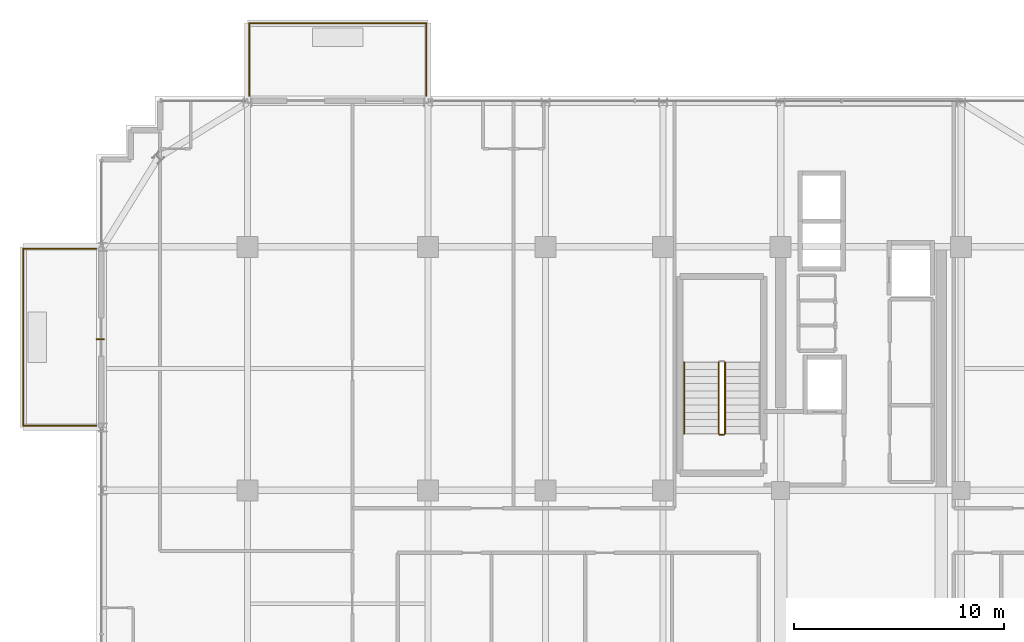
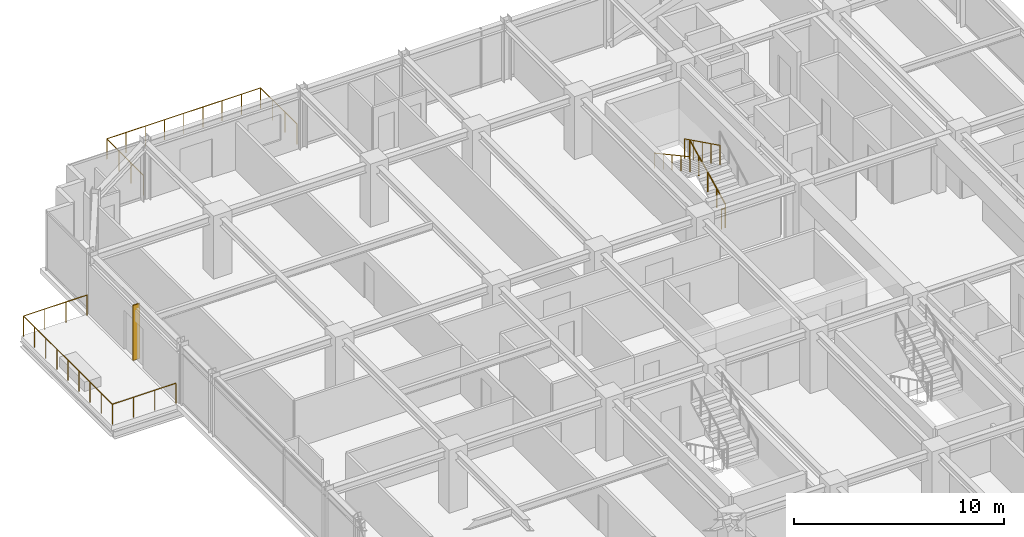
# One storey, part 34 of 36: 6 railings, 1 shading device.
"""IFC4 building model written with IfcOpenShell, lengths in metres."""

import ifcopenshell
import ifcopenshell.guid

model = None  # the IFC model being written
_history = None  # IfcOwnerHistory: only IFC2X3 demands one
_inside = {}  # id of a spatial element -> (the spatial element, [elements in it])
_under = {}  # id of a project, library or spatial element -> (it, [spatial elements below it])
_declared = {}  # id of a project -> (the project, [libraries it declares])
_typed = {}  # id of a type object -> (the type object, [elements of that type])
_made_of = {}  # id of a material, layer set ... -> (it, [elements and type objects made of it])


def new_model(schema):
    """Start an empty IFC model of exactly this schema.

    Asked for "IFC4X3", IfcOpenShell would pick the latest addendum, in which some entities
    have other attributes; the version numbers below select the first issue.
    IFC2X3 requires an IfcOwnerHistory on every rooted entity: one is made here for all.
    """
    global model, _history
    if schema == "IFC4X3":
        model = ifcopenshell.file(schema_version=(4, 3, 0, 0))
    else:
        model = ifcopenshell.file(schema=schema)
    _inside.clear()
    _under.clear()
    _declared.clear()
    _typed.clear()
    _made_of.clear()
    _history = None
    if model.schema == "IFC2X3":
        org = make("IfcOrganization", Name="unknown")
        user = make(
            "IfcPersonAndOrganization",
            ThePerson=make("IfcPerson", FamilyName="unknown"),
            TheOrganization=org,
        )
        app = make(
            "IfcApplication",
            ApplicationDeveloper=org,
            Version="unknown",
            ApplicationFullName="unknown",
            ApplicationIdentifier="unknown",
        )
        _history = make(
            "IfcOwnerHistory",
            OwningUser=user,
            OwningApplication=app,
            ChangeAction="ADDED",
            CreationDate=0,
        )
    return model


def make(cls, **values):
    """One entity of the class cls with the attributes given. An attribute that is None is left unset."""
    return model.create_entity(
        cls, **{name: value for name, value in values.items() if value is not None}
    )


def rooted(cls, **values):
    """An entity with a GlobalId (a new one), such as an element, a storey or a relation."""
    return make(cls, GlobalId=ifcopenshell.guid.new(), OwnerHistory=_history, **values)


def si_unit(unit_type, name, prefix=None):
    """IfcSIUnit, for example si_unit("LENGTHUNIT", "METRE", prefix="MILLI")."""
    return make("IfcSIUnit", UnitType=unit_type, Prefix=prefix, Name=name)


def assignment(units):
    """IfcUnitAssignment: the units of a project."""
    return None if units is None else make("IfcUnitAssignment", Units=units)


def point(xyz):
    """IfcCartesianPoint."""
    return None if xyz is None else make("IfcCartesianPoint", Coordinates=xyz)


def direction(xyz):
    """IfcDirection."""
    return None if xyz is None else make("IfcDirection", DirectionRatios=xyz)


def frame(location, z_axis=None, x_axis=None):
    """IfcAxis2Placement3D, a coordinate frame: its origin and axes. An axis left out is left unset."""
    return make(
        "IfcAxis2Placement3D",
        Location=point(location),
        Axis=direction(z_axis),
        RefDirection=direction(x_axis),
    )


def frame_2d(location, x_axis=None):
    """IfcAxis2Placement2D, a coordinate frame in the plane: its origin and x axis."""
    return make(
        "IfcAxis2Placement2D", Location=point(location), RefDirection=direction(x_axis)
    )


def origin():
    """The frame at (0, 0, 0) with its axes left unset."""
    return frame((0.0, 0.0, 0.0))


def origin_2d():
    """The frame at (0, 0) in the plane with its x axis left unset."""
    return frame_2d((0.0, 0.0))


def place(relative_to, where):
    """IfcLocalPlacement: puts the frame where relative to a parent placement (None: the world)."""
    return make(
        "IfcLocalPlacement", PlacementRelTo=relative_to, RelativePlacement=where
    )


def context(
    kind, dimensions, precision=None, world=None, true_north=None, identifier=None
):
    """IfcGeometricRepresentationContext, for example the 3D "Model" context."""
    return make(
        "IfcGeometricRepresentationContext",
        ContextIdentifier=identifier,
        ContextType=kind,
        CoordinateSpaceDimension=dimensions,
        Precision=precision,
        WorldCoordinateSystem=world,
        TrueNorth=true_north,
    )


def subcontext(parent, identifier, kind, view, scale=None):
    """IfcGeometricRepresentationSubContext, for example "Body" below "Model"."""
    return make(
        "IfcGeometricRepresentationSubContext",
        ContextIdentifier=identifier,
        ContextType=kind,
        ParentContext=parent,
        TargetScale=scale,
        TargetView=view,
    )


def project(units=None, contexts=None):
    """IfcProject with its units and contexts."""
    return rooted(
        "IfcProject",
        Name="project",
        RepresentationContexts=contexts,
        UnitsInContext=assignment(units),
    )


def spatial(cls, under=None, at=None, **own):
    """A site, building, storey or space (cls), placed at a placement, below another one or the project."""
    s = rooted(cls, ObjectPlacement=at, **own)
    if under is not None:
        _under.setdefault(under.id(), (under, []))[1].append(s)
    return s


def profile(cls, at=None, kind="AREA", **sizes):
    """A parametric profile (cls). Its sizes go by their IFC names, for example OverallWidth=200.0."""
    return make(cls, ProfileType=kind, Position=at, **sizes)


def rectangle(**sizes):
    """IfcRectangleProfileDef."""
    return profile("IfcRectangleProfileDef", **sizes)


def circle(**sizes):
    """IfcCircleProfileDef."""
    return profile("IfcCircleProfileDef", **sizes)


def extrude(swept, where, along, depth):
    """IfcExtrudedAreaSolid: the profile swept, set in the frame where, extruded along a direction by depth."""
    return make(
        "IfcExtrudedAreaSolid",
        SweptArea=swept,
        Position=where,
        ExtrudedDirection=direction(along),
        Depth=depth,
    )


def shape(context_of_items, identifier, shape_type, items):
    """IfcShapeRepresentation: the items that make up one representation, for example the "Body"."""
    return make(
        "IfcShapeRepresentation",
        ContextOfItems=context_of_items,
        RepresentationIdentifier=identifier,
        RepresentationType=shape_type,
        Items=items,
    )


def source(mapping_origin, context_of_items, identifier, shape_type, items):
    """IfcRepresentationMap: a shape defined once, which mapped items show again and again."""
    return make(
        "IfcRepresentationMap",
        MappingOrigin=mapping_origin,
        MappedRepresentation=shape(context_of_items, identifier, shape_type, items),
    )


def transform(
    local_origin,
    x_axis=None,
    y_axis=None,
    z_axis=None,
    scale=None,
    scale2=None,
    scale3=None,
    uniform=True,
):
    """IfcCartesianTransformationOperator3D, or its non-uniform kind. x_axis, y_axis, z_axis: its Axis1, 2, 3."""
    if uniform:
        return make(
            "IfcCartesianTransformationOperator3D",
            Axis1=direction(x_axis),
            Axis2=direction(y_axis),
            LocalOrigin=point(local_origin),
            Scale=scale,
            Axis3=direction(z_axis),
        )
    return make(
        "IfcCartesianTransformationOperator3DnonUniform",
        Axis1=direction(x_axis),
        Axis2=direction(y_axis),
        LocalOrigin=point(local_origin),
        Scale=scale,
        Axis3=direction(z_axis),
        Scale2=scale2,
        Scale3=scale3,
    )


def mapped(mapping_source, mapping_target):
    """IfcMappedItem: shows the shape of a source again, moved by a transform."""
    return make(
        "IfcMappedItem", MappingSource=mapping_source, MappingTarget=mapping_target
    )


def material(Name=None, Category=None):
    """IfcMaterial."""
    return make("IfcMaterial", Name=Name, Category=Category)


def layer(
    of_material, thickness, ventilated=None, Name=None, Category=None, Priority=None
):
    """IfcMaterialLayer: one layer of a wall or slab, of a material (None: an air gap)."""
    return make(
        "IfcMaterialLayer",
        Material=of_material,
        LayerThickness=thickness,
        IsVentilated=ventilated,
        Name=Name,
        Category=Category,
        Priority=Priority,
    )


def layer_set(layers, Name=None):
    """IfcMaterialLayerSet."""
    return make("IfcMaterialLayerSet", MaterialLayers=layers, LayerSetName=Name)


def made_of(thing, what):
    """Note that an element or type object is made of a material, layer set ...; save() writes the relation."""
    if what is not None:
        _made_of.setdefault(what.id(), (what, []))[1].append(thing)
    return thing


def type_object(cls, material=None, **own):
    """A type object (cls), such as IfcWallType, which elements share."""
    return made_of(rooted(cls, **own), material)


def element(
    cls,
    number,
    at=None,
    inside=None,
    cuts=None,
    type_object=None,
    material=None,
    context=None,
    identifier="Body",
    shape_type=None,
    held_by="IfcProductDefinitionShape",
    body=None,
    shapes=None,
    **own,
):
    """One element of the class cls, such as IfcWall. Its Tag is "e" and its number.

    at: its placement. inside: the storey or other place that contains it. cuts: it is an
    opening in that element (IfcRelVoidsElement). A single representation is given by context,
    identifier, shape_type and body (its items); several are given by shapes. held_by: the class
    of the entity that holds the representations. save() writes the other relations.
    """
    e = rooted(cls, Tag="e%d" % number, ObjectPlacement=at, **own)
    if body is not None:
        shapes = [shape(context, identifier, shape_type, body)]
    if shapes is not None:
        e.Representation = make(held_by, Representations=shapes)
    if inside is not None:
        _inside.setdefault(inside.id(), (inside, []))[1].append(e)
    if cuts is not None:
        rooted(
            "IfcRelVoidsElement", RelatingBuildingElement=cuts, RelatedOpeningElement=e
        )
    if type_object is not None:
        _typed.setdefault(type_object.id(), (type_object, []))[1].append(e)
    return made_of(e, material)


def aggregate(whole, parts):
    """IfcRelAggregates: a whole, such as a stair, and the parts it consists of."""
    return rooted("IfcRelAggregates", RelatingObject=whole, RelatedObjects=parts)


def save(model, path):
    """Write the relations noted so far, then the file.

    IfcRelAggregates (storeys below a building ...), IfcRelContainedInSpatialStructure (elements
    in a storey), IfcRelDefinesByType, IfcRelAssociatesMaterial and IfcRelDeclares: one each for
    every whole, place, type object, material and project.
    """
    for whole, parts in _under.values():
        aggregate(whole, parts)
    for where, things in _inside.values():
        rooted(
            "IfcRelContainedInSpatialStructure",
            RelatedElements=things,
            RelatingStructure=where,
        )
    for kind, things in _typed.values():
        rooted("IfcRelDefinesByType", RelatedObjects=things, RelatingType=kind)
    for what, things in _made_of.values():
        rooted("IfcRelAssociatesMaterial", RelatedObjects=things, RelatingMaterial=what)
    for by, libraries in _declared.values():
        rooted("IfcRelDeclares", RelatingContext=by, RelatedDefinitions=libraries)
    model.write(path)


model = new_model("IFC4")

# Units and contexts
model_context = context("Model", 3, precision=1e-05, world=origin(), true_north=direction((0.0, 1.0)))
body_context = subcontext(model_context, "Body", "Model", "MODEL_VIEW")
ifc_project = project(units=[si_unit("LENGTHUNIT", "METRE"), si_unit("AREAUNIT", "SQUARE_METRE"), si_unit("VOLUMEUNIT", "CUBIC_METRE"), si_unit("PLANEANGLEUNIT", "RADIAN"), si_unit("MASSUNIT", "GRAM", prefix="KILO")], contexts=[model_context])

# Site, building, storey
site_placement = place(None, origin())
site = spatial("IfcSite", under=ifc_project, at=site_placement, CompositionType="ELEMENT")
building_placement = place(site_placement, origin())
building = spatial("IfcBuilding", under=site, at=building_placement, Name="Nahalor Promenade Grand Hotel", CompositionType="ELEMENT")
storey_placement = place(building_placement, frame((0.0, 0.0, 212.300048828125)))
storey = spatial("IfcBuildingStorey", under=building, at=storey_placement, Name="L54", CompositionType="ELEMENT", Elevation=212.300048828125)

# Railings
ifc_material_1 = material(Name="Anodised Bronze Aluminium EN AW-6063 T6", Category="aluminium")
railing_type_1 = type_object("IfcRailingType", Name="Bronze Balcony Guardrail 1200 mm", PredefinedType="GUARDRAIL", material=ifc_material_1)
railing_1_placement = place(storey_placement, frame((-16.919921875, 24.199951171875, 0.0)))
element("IfcRailing", 1, at=railing_1_placement, inside=storey, type_object=railing_type_1, Name="L54 Balcony Guardrail 1", PredefinedType="GUARDRAIL", context=body_context, shape_type="SweptSolid", body=[
    extrude(circle(Radius=0.024048, at=origin_2d()), frame((0.0, 0.0, 1.17578125), z_axis=(0.0, 1.0, 0.0), x_axis=(-1.0, 0.0, 0.0)), (0.0, 0.0, 1.0), 3.4580078125),
    extrude(circle(Radius=0.024048, at=origin_2d()), frame((0.001953125, 3.4599609375, 1.17578125), z_axis=(1.0, 0.0, 0.0), x_axis=(0.0, 1.0, 0.0)), (0.0, 0.0, 1.0), 8.43603515625),
    extrude(circle(Radius=0.024048, at=origin_2d()), frame((8.43994140625, 3.4580078125, 1.17578125), z_axis=(0.0, -1.0, 0.0), x_axis=(1.0, 0.0, 0.0)), (0.0, 0.0, 1.0), 3.4580078125),
    extrude(circle(Radius=0.020996, at=origin_2d()), origin(), (0.0, 0.0, 1.0), 1.14990234375),
    extrude(circle(Radius=0.020996, at=origin_2d()), frame((0.0, 1.1533203125, 0.0)), (0.0, 0.0, 1.0), 1.14990234375),
    extrude(circle(Radius=0.020996, at=origin_2d()), frame((0.0, 2.306640625, 0.0)), (0.0, 0.0, 1.0), 1.14990234375),
    extrude(circle(Radius=0.020996, at=origin_2d()), frame((0.0, 3.4599609375, 0.0)), (0.0, 0.0, 1.0), 1.14990234375),
    extrude(circle(Radius=0.020996, at=origin_2d()), frame((1.054931640625, 3.4599609375, 0.0)), (0.0, 0.0, 1.0), 1.14990234375),
    extrude(circle(Radius=0.020996, at=origin_2d()), frame((2.10986328125, 3.4599609375, 0.0)), (0.0, 0.0, 1.0), 1.14990234375),
    extrude(circle(Radius=0.020996, at=origin_2d()), frame((3.1650390625, 3.4599609375, 0.0)), (0.0, 0.0, 1.0), 1.14990234375),
    extrude(circle(Radius=0.020996, at=origin_2d()), frame((4.219970703125, 3.4599609375, 0.0)), (0.0, 0.0, 1.0), 1.14990234375),
    extrude(circle(Radius=0.020996, at=origin_2d()), frame((5.27490234375, 3.4599609375, 0.0)), (0.0, 0.0, 1.0), 1.14990234375),
    extrude(circle(Radius=0.020996, at=origin_2d()), frame((6.330078125, 3.4599609375, 0.0)), (0.0, 0.0, 1.0), 1.14990234375),
    extrude(circle(Radius=0.020996, at=origin_2d()), frame((7.385009765625, 3.4599609375, 0.0)), (0.0, 0.0, 1.0), 1.14990234375),
    extrude(circle(Radius=0.020996, at=origin_2d()), frame((8.43994140625, 3.4599609375, 0.0)), (0.0, 0.0, 1.0), 1.14990234375),
    extrude(circle(Radius=0.020996, at=origin_2d()), frame((8.43994140625, 2.306640625, 0.0)), (0.0, 0.0, 1.0), 1.14990234375),
    extrude(circle(Radius=0.020996, at=origin_2d()), frame((8.43994140625, 1.1533203125, 0.0)), (0.0, 0.0, 1.0), 1.14990234375),
    extrude(circle(Radius=0.020996, at=origin_2d()), frame((8.43994140625, 0.0, 0.0)), (0.0, 0.0, 1.0), 1.14990234375),
])
railing_2_placement = place(storey_placement, frame((-24.199951171875, 8.47998046875, 0.0)))
element("IfcRailing", 2, at=railing_2_placement, inside=storey, type_object=railing_type_1, Name="L54 Balcony Guardrail 2", PredefinedType="GUARDRAIL", context=body_context, shape_type="SweptSolid", body=[
    extrude(circle(Radius=0.024048, at=origin_2d()), frame((0.0, 0.0, 1.17578125), z_axis=(-1.0, 0.0, 0.0), x_axis=(0.0, -1.0, 0.0)), (0.0, 0.0, 1.0), 3.488037109375),
    extrude(circle(Radius=0.024048, at=origin_2d()), frame((-3.489990234375, 0.001953125, 1.17578125), z_axis=(0.0, 1.0, 0.0), x_axis=(-1.0, 0.0, 0.0)), (0.0, 0.0, 1.0), 8.43603515625),
    extrude(circle(Radius=0.024048, at=origin_2d()), frame((-3.488037109375, 8.43994140625, 1.17578125), z_axis=(1.0, 0.0, 0.0), x_axis=(0.0, 1.0, 0.0)), (0.0, 0.0, 1.0), 3.488037109375),
    extrude(circle(Radius=0.020996, at=origin_2d()), origin(), (0.0, 0.0, 1.0), 1.14990234375),
    extrude(circle(Radius=0.020996, at=origin_2d()), frame((-1.163330078125, 0.0, 0.0)), (0.0, 0.0, 1.0), 1.14990234375),
    extrude(circle(Radius=0.020996, at=origin_2d()), frame((-2.32666015625, 0.0, 0.0)), (0.0, 0.0, 1.0), 1.14990234375),
    extrude(circle(Radius=0.020996, at=origin_2d()), frame((-3.489990234375, 0.0, 0.0)), (0.0, 0.0, 1.0), 1.14990234375),
    extrude(circle(Radius=0.020996, at=origin_2d()), frame((-3.489990234375, 1.054931640625, 0.0)), (0.0, 0.0, 1.0), 1.14990234375),
    extrude(circle(Radius=0.020996, at=origin_2d()), frame((-3.489990234375, 2.10986328125, 0.0)), (0.0, 0.0, 1.0), 1.14990234375),
    extrude(circle(Radius=0.020996, at=origin_2d()), frame((-3.489990234375, 3.1650390625, 0.0)), (0.0, 0.0, 1.0), 1.14990234375),
    extrude(circle(Radius=0.020996, at=origin_2d()), frame((-3.489990234375, 4.219970703125, 0.0)), (0.0, 0.0, 1.0), 1.14990234375),
    extrude(circle(Radius=0.020996, at=origin_2d()), frame((-3.489990234375, 5.27490234375, 0.0)), (0.0, 0.0, 1.0), 1.14990234375),
    extrude(circle(Radius=0.020996, at=origin_2d()), frame((-3.489990234375, 6.330078125, 0.0)), (0.0, 0.0, 1.0), 1.14990234375),
    extrude(circle(Radius=0.020996, at=origin_2d()), frame((-3.489990234375, 7.385009765625, 0.0)), (0.0, 0.0, 1.0), 1.14990234375),
    extrude(circle(Radius=0.020996, at=origin_2d()), frame((-3.489990234375, 8.43994140625, 0.0)), (0.0, 0.0, 1.0), 1.14990234375),
    extrude(circle(Radius=0.020996, at=origin_2d()), frame((-2.32666015625, 8.43994140625, 0.0)), (0.0, 0.0, 1.0), 1.14990234375),
    extrude(circle(Radius=0.020996, at=origin_2d()), frame((-1.163330078125, 8.43994140625, 0.0)), (0.0, 0.0, 1.0), 1.14990234375),
    extrude(circle(Radius=0.020996, at=origin_2d()), frame((0.0, 8.43994140625, 0.0)), (0.0, 0.0, 1.0), 1.14990234375),
])
ifc_material_2 = material(Name="Steel S355JR", Category="steel")
railing_type_2 = type_object("IfcRailingType", Name="Steel Stair Guardrail 1150 mm", PredefinedType="GUARDRAIL", material=ifc_material_2)
railing_3_placement = place(storey_placement, frame((5.75, 8.10009765625, 0.168212890625)))
element("IfcRailing", 3, at=railing_3_placement, inside=storey, type_object=railing_type_2, Name="L54 ST1 stair guard 1", PredefinedType="GUARDRAIL", context=body_context, shape_type="SweptSolid", body=[
    extrude(circle(Radius=0.024048, at=origin_2d()), frame((0.0, 0.0, 1.1259765625), z_axis=(0.0, 0.896349809652, 0.44334751464), x_axis=(-1.0, 0.0, 0.0)), (0.0, 0.0, 1.0), 3.79296875),
    extrude(circle(Radius=0.020996, at=origin_2d()), origin(), (0.0, 0.0, 1.0), 1.099853515625),
    extrude(circle(Radius=0.020996, at=origin_2d()), frame((0.0, 0.85009765625, 0.42041015625)), (0.0, 0.0, 1.0), 1.099853515625),
    extrude(circle(Radius=0.020996, at=origin_2d()), frame((0.0, 1.699951171875, 0.8408203125)), (0.0, 0.0, 1.0), 1.099853515625),
    extrude(circle(Radius=0.020996, at=origin_2d()), frame((0.0, 2.5498046875, 1.26123046875)), (0.0, 0.0, 1.0), 1.099853515625),
    extrude(circle(Radius=0.020996, at=origin_2d()), frame((0.0, 3.39990234375, 1.681640625)), (0.0, 0.0, 1.0), 1.099853515625),
])
railing_4_placement = place(storey_placement, frame((5.449951171875, 11.5, 2.01806640625)))
element("IfcRailing", 4, at=railing_4_placement, inside=storey, type_object=railing_type_2, Name="L54 ST1 stair guard 3", PredefinedType="GUARDRAIL", context=body_context, shape_type="SweptSolid", body=[
    extrude(circle(Radius=0.024048, at=origin_2d()), frame((0.0, 0.0, 1.1259765625), z_axis=(0.0, -0.896324230515, 0.443399226197), x_axis=(1.0, 0.0, 0.0)), (0.0, 0.0, 1.0), 3.793212890625),
    extrude(circle(Radius=0.020996, at=origin_2d()), origin(), (0.0, 0.0, 1.0), 1.099853515625),
    extrude(circle(Radius=0.020996, at=origin_2d()), frame((0.0, -0.85009765625, 0.42041015625)), (0.0, 0.0, 1.0), 1.099853515625),
    extrude(circle(Radius=0.020996, at=origin_2d()), frame((0.0, -1.699951171875, 0.8408203125)), (0.0, 0.0, 1.0), 1.099853515625),
    extrude(circle(Radius=0.020996, at=origin_2d()), frame((0.0, -2.5498046875, 1.261474609375)), (0.0, 0.0, 1.0), 1.099853515625),
    extrude(circle(Radius=0.020996, at=origin_2d()), frame((0.0, -3.39990234375, 1.681884765625)), (0.0, 0.0, 1.0), 1.099853515625),
])
railing_5_placement = place(storey_placement, frame((5.699951171875, 8.050048828125, 0.0)))
element("IfcRailing", 5, at=railing_5_placement, inside=storey, type_object=railing_type_2, Name="L54 ST1 stair guard 4", PredefinedType="GUARDRAIL", context=body_context, shape_type="SweptSolid", body=[
    extrude(circle(Radius=0.024048, at=origin_2d()), frame((0.0, 0.0, 1.1259765625), z_axis=(-1.0, 0.0, 0.0), x_axis=(0.0, -1.0, 0.0)), (0.0, 0.0, 1.0), 0.199951171875),
    extrude(circle(Radius=0.020996, at=origin_2d()), origin(), (0.0, 0.0, 1.0), 1.099853515625),
    extrude(circle(Radius=0.020996, at=origin_2d()), frame((-0.199951171875, 0.0, 0.0)), (0.0, 0.0, 1.0), 1.099853515625),
])
railing_type_3 = type_object("IfcRailingType", Name="Steel Stair Handrail 900 mm", PredefinedType="HANDRAIL", material=ifc_material_2)
railing_6_placement = place(storey_placement, frame((3.800048828125, 11.5, 2.01806640625)))
element("IfcRailing", 6, at=railing_6_placement, inside=storey, type_object=railing_type_3, Name="L54 ST1 stair handrail 2", PredefinedType="HANDRAIL", context=body_context, shape_type="SweptSolid", body=[
    extrude(circle(Radius=0.024048, at=origin_2d()), frame((0.0, 0.0, 0.8759765625), z_axis=(0.0, -0.87837241229, 0.47797688786), x_axis=(1.0, 0.0, 0.0)), (0.0, 0.0, 1.0), 3.87060546875),
    extrude(circle(Radius=0.020996, at=origin_2d()), origin(), (0.0, 0.0, 1.0), 0.849853515625),
    extrude(circle(Radius=0.020996, at=origin_2d()), frame((0.0, -0.85009765625, 0.46240234375)), (0.0, 0.0, 1.0), 0.849853515625),
    extrude(circle(Radius=0.020996, at=origin_2d()), frame((0.0, -1.699951171875, 0.925048828125)), (0.0, 0.0, 1.0), 0.849853515625),
    extrude(circle(Radius=0.020996, at=origin_2d()), frame((0.0, -2.5498046875, 1.3876953125)), (0.0, 0.0, 1.0), 0.849853515625),
    extrude(circle(Radius=0.020996, at=origin_2d()), frame((0.0, -3.39990234375, 1.85009765625)), (0.0, 0.0, 1.0), 0.849853515625),
])

# Shading device
ifc_layer = layer(ifc_material_1, 0.06005859375)
ifc_layer_set = layer_set([ifc_layer], Name="Anodised Bronze Aluminium EN AW-6063 T6")
shading_device_type = type_object("IfcShadingDeviceType", Name="Shade-SolarFin-Bronze", PredefinedType="JALOUSIE", material=ifc_layer_set)
shared_shape = source(origin(), body_context, "Body", "SweptSolid", [
    extrude(rectangle(XDim=0.3798828125, YDim=0.06005859375, at=origin_2d()), origin(), (0.0, 0.0, 1.0), 3.199951171875),
])
shading_device_placement = place(storey_placement, frame((-24.010009765625, 12.60009765625, 0.0), z_axis=(0.0, 0.0, 1.0), x_axis=(1.0, 0.0, 0.0)))
element("IfcShadingDevice", 7, at=shading_device_placement, inside=storey, type_object=shading_device_type, Name="JAL-L54-W2", PredefinedType="JALOUSIE", context=body_context, shape_type="MappedRepresentation", body=[
    mapped(shared_shape, transform((0.0, 0.0, 0.0), scale=1.0)),
])

save(model, "model.ifc")
